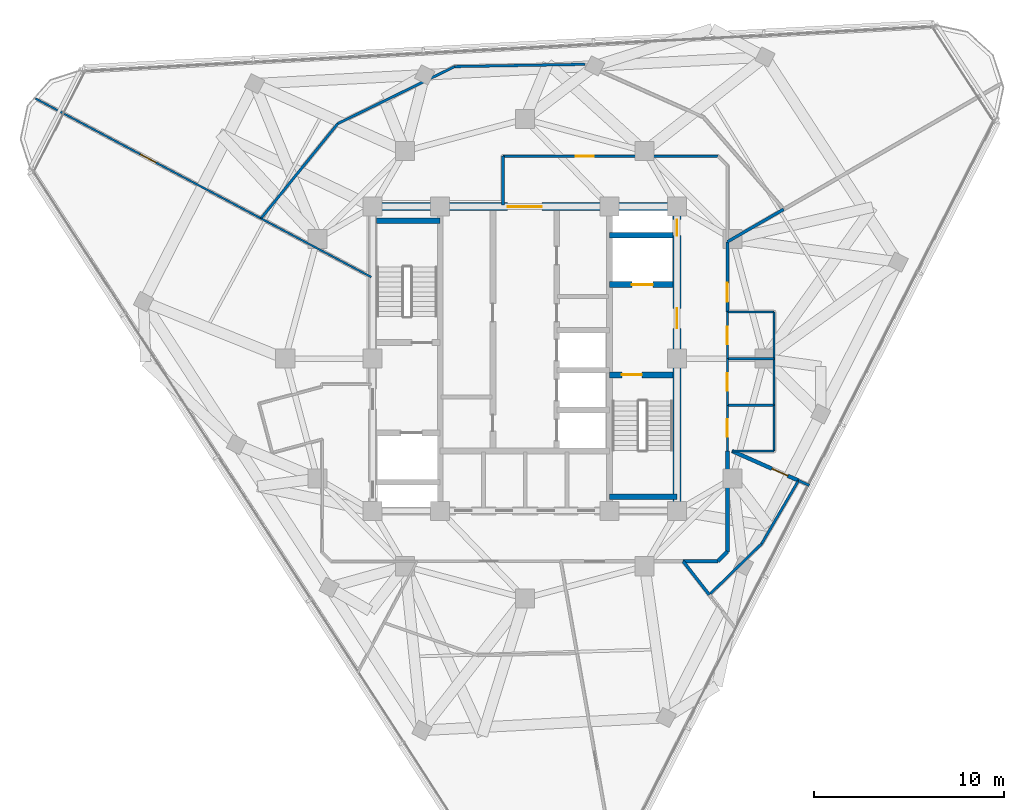
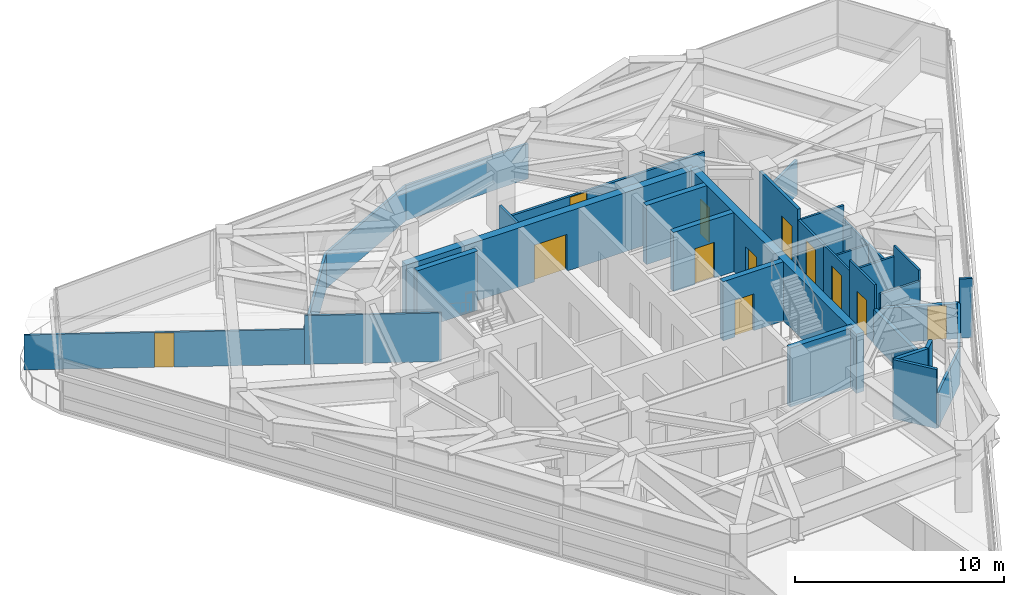
# One storey, part 9 of 15: 34 walls, 12 doors, 12 openings.
"""IFC4 building model written with IfcOpenShell, lengths in metres."""

from ifc_helpers import new_model, si_unit, direction, frame, frame_2d, origin, place, context, subcontext, project, spatial, rectangle, extrude, material, layer, layer_set, type_object, element, fill, save


model = new_model("IFC4")

# Units and contexts
model_context = context("Model", 3, precision=1e-05, world=origin(), true_north=direction((0.0, 1.0)))
body_context = subcontext(model_context, "Body", "Model", "MODEL_VIEW")
ifc_project = project(units=[si_unit("LENGTHUNIT", "METRE"), si_unit("AREAUNIT", "SQUARE_METRE"), si_unit("VOLUMEUNIT", "CUBIC_METRE"), si_unit("PLANEANGLEUNIT", "RADIAN"), si_unit("MASSUNIT", "GRAM", prefix="KILO")], contexts=[model_context])

# Site, building, storey
site_placement = place(None, origin())
site = spatial("IfcSite", under=ifc_project, at=site_placement, CompositionType="ELEMENT")
building_placement = place(site_placement, origin())
building = spatial("IfcBuilding", under=site, at=building_placement, Name="Terralouvre Media Tower", CompositionType="ELEMENT")
storey_placement = place(building_placement, frame((0.0, 0.0, 274.39990234375)))
storey = spatial("IfcBuildingStorey", under=building, at=storey_placement, Name="L71", CompositionType="ELEMENT", Elevation=274.39990234375)

# Wall
ifc_material_1 = material(Name="Concrete C50/60", Category="concrete")
ifc_layer_1 = layer(ifc_material_1, 0.300048828125, Name="Core Internal Shaft Wall CW-300")
ifc_layer_set_1 = layer_set([ifc_layer_1], Name="Concrete C50/60")
wall_type_1 = type_object("IfcWallType", Name="Core Internal Shaft Wall CW-300", PredefinedType="SHEAR", material=ifc_layer_set_1)
wall_1_placement = place(storey_placement, frame((-7.7900390625, 7.260009765625, 0.0), z_axis=(0.0, 0.0, 1.0), x_axis=(1.0, 0.0, 0.0)))
element("IfcWall", 1, at=wall_1_placement, inside=storey, type_object=wall_type_1, Name="L71 Core Shaft Wall ST1F", PredefinedType="SHEAR", context=body_context, shape_type="SweptSolid", body=[
    extrude(rectangle(XDim=3.340087890625, YDim=0.300048828125, at=frame_2d((1.669921875, 0.0))), origin(), (0.0, 0.0, 1.0), 3.460205078125),
])

# Wall, opening, door
wall_2_placement = place(storey_placement, frame((4.449951171875, -0.85009765625, 0.0), z_axis=(0.0, 0.0, 1.0), x_axis=(1.0, 0.0, 0.0)))
wall_2 = element("IfcWall", 2, at=wall_2_placement, inside=storey, type_object=wall_type_1, Name="L71 Core Shaft Wall ST2D", PredefinedType="SHEAR", context=body_context, shape_type="SweptSolid", body=[
    extrude(rectangle(XDim=3.340087890625, YDim=0.300048828125, at=frame_2d((1.669921875, 0.0))), origin(), (0.0, 0.0, 1.0), 3.460205078125),
])
opening_1_placement = place(wall_2_placement, frame((0.64990234375, 0.0, 0.0)))
opening_1 = element("IfcOpeningElement", 3, at=opening_1_placement, cuts=wall_2, Name="Opening FD-01-105X215", PredefinedType="OPENING", context=body_context, shape_type="SweptSolid", body=[
    extrude(rectangle(XDim=1.050048828125, YDim=2.14990234375, at=frame_2d((0.52490234375, 1.074951171875))), frame((0.0, 0.159912109375, 0.0), z_axis=(0.0, -1.0, 0.0), x_axis=(1.0, 0.0, 0.0)), (0.0, 0.0, 1.0), 0.320068359375),
])
ifc_material_2 = material(Name="Galvanised steel fire-resisting leaf", Category="steel")
door_type_1 = type_object("IfcDoorType", Name="Stair and Firefighting Lobby Fire Door FD-01 (1050x2150)", OperationType="NOTDEFINED", PredefinedType="DOOR", material=ifc_material_2)
door_1_placement = place(opening_1_placement, origin())
door_1 = element("IfcDoor", 4, at=door_1_placement, inside=storey, type_object=door_type_1, Name="L71 ST-02 Exit Stair Door", OperationType="SINGLE_SWING_RIGHT", OverallHeight=2.14990234375, OverallWidth=1.050048828125, PredefinedType="DOOR", context=body_context, shape_type="SweptSolid", body=[
    extrude(rectangle(XDim=1.050048828125, YDim=2.14990234375, at=frame_2d((0.52490234375, 1.074951171875))), frame((0.0, 0.02490234375, 0.0), z_axis=(0.0, -1.0, 0.0), x_axis=(1.0, 0.0, 0.0)), (0.0, 0.0, 1.0), 0.050048828125),
])
fill(opening_1, door_1)

# Wall
wall_3_placement = place(storey_placement, frame((4.449951171875, -7.260009765625, 0.0), z_axis=(0.0, 0.0, 1.0), x_axis=(1.0, 0.0, 0.0)))
element("IfcWall", 5, at=wall_3_placement, inside=storey, type_object=wall_type_1, Name="L71 Core Shaft Wall ST2F", PredefinedType="SHEAR", context=body_context, shape_type="SweptSolid", body=[
    extrude(rectangle(XDim=3.550048828125, YDim=0.300048828125, at=frame_2d((1.77490234375, 0.0))), origin(), (0.0, 0.0, 1.0), 3.460205078125),
])

# Wall, opening, door
wall_4_placement = place(storey_placement, frame((4.449951171875, 3.89990234375, 0.0), z_axis=(0.0, 0.0, 1.0), x_axis=(1.0, 0.0, 0.0)))
wall_4 = element("IfcWall", 6, at=wall_4_placement, inside=storey, type_object=wall_type_1, Name="L71 Core Shaft Wall FF2S", PredefinedType="SHEAR", context=body_context, shape_type="SweptSolid", body=[
    extrude(rectangle(XDim=3.340087890625, YDim=0.300048828125, at=frame_2d((1.669921875, 0.0))), origin(), (0.0, 0.0, 1.0), 3.460205078125),
])
opening_2_placement = place(wall_4_placement, frame((1.179931640625, 0.0, 0.0)))
opening_2 = element("IfcOpeningElement", 7, at=opening_2_placement, cuts=wall_4, Name="Opening LD-FF", PredefinedType="OPENING", context=body_context, shape_type="SweptSolid", body=[
    extrude(rectangle(XDim=1.10009765625, YDim=2.10009765625, at=frame_2d((0.550048828125, 1.050048828125))), frame((0.0, 0.159912109375, 0.0), z_axis=(0.0, -1.0, 0.0), x_axis=(1.0, 0.0, 0.0)), (0.0, 0.0, 1.0), 0.320068359375),
])
ifc_material_3 = material(Name="Stainless steel 316 handrail and balustrade", Category="steel")
door_type_2 = type_object("IfcDoorType", Name="Firefighting Lift Sliding Landing Door LD-FF", OperationType="SLIDING_TO_LEFT", PredefinedType="DOOR", material=ifc_material_3)
door_2_placement = place(opening_2_placement, origin())
door_2 = element("IfcDoor", 8, at=door_2_placement, inside=storey, type_object=door_type_2, Name="L71 Firefighting Lift FFL-02 Landing Door", OperationType="SLIDING_TO_LEFT", OverallHeight=2.10009765625, OverallWidth=1.10009765625, PredefinedType="DOOR", context=body_context, shape_type="SweptSolid", body=[
    extrude(rectangle(XDim=1.10009765625, YDim=2.10009765625, at=frame_2d((0.550048828125, 1.050048828125))), frame((0.0, 0.02490234375, 0.0), z_axis=(0.0, -1.0, 0.0), x_axis=(1.0, 0.0, 0.0)), (0.0, 0.0, 1.0), 0.050048828125),
])
fill(opening_2, door_2)

# Wall
wall_5_placement = place(storey_placement, frame((4.449951171875, 6.5, 0.0), z_axis=(0.0, 0.0, 1.0), x_axis=(1.0, 0.0, 0.0)))
element("IfcWall", 9, at=wall_5_placement, inside=storey, type_object=wall_type_1, Name="L71 Core Shaft Wall FF2N", PredefinedType="SHEAR", context=body_context, shape_type="SweptSolid", body=[
    extrude(rectangle(XDim=3.340087890625, YDim=0.300048828125, at=frame_2d((1.669921875, 0.0))), origin(), (0.0, 0.0, 1.0), 3.460205078125),
])

# Wall, openings, doors
ifc_material_4 = material(Name="Concrete C60/75", Category="concrete")
ifc_layer_2 = layer(ifc_material_4, 0.419921875, Name="Core Reinforced Concrete Shear Wall CW-420")
ifc_layer_set_2 = layer_set([ifc_layer_2], Name="Concrete C60/75")
wall_type_2 = type_object("IfcWallType", Name="Core Reinforced Concrete Shear Wall CW-420", PredefinedType="SHEAR", material=ifc_layer_set_2)
wall_6_placement = place(storey_placement, frame((8.0, -8.0, 0.0), z_axis=(0.0, 0.0, 1.0), x_axis=(0.0, 1.0, 0.0)))
wall_6 = element("IfcWall", 10, at=wall_6_placement, inside=storey, type_object=wall_type_2, Name="L71 E Core Shear Wall", PredefinedType="SHEAR", context=body_context, shape_type="SweptSolid", body=[
    extrude(rectangle(XDim=16.0, YDim=0.419921875, at=frame_2d((8.0, 0.0))), origin(), (0.0, 0.0, 1.0), 3.460205078125),
])
opening_3_placement = place(wall_6_placement, frame((9.60009765625, 0.0, 0.0)))
opening_3 = element("IfcOpeningElement", 11, at=opening_3_placement, cuts=wall_6, Name="Opening FD-01-105X215", PredefinedType="OPENING", context=body_context, shape_type="SweptSolid", body=[
    extrude(rectangle(XDim=1.050048828125, YDim=2.14990234375, at=frame_2d((0.52490234375, 1.074951171875))), frame((0.0, 0.219970703125, 0.0), z_axis=(0.0, -1.0, 0.0), x_axis=(1.0, 0.0, 0.0)), (0.0, 0.0, 1.0), 0.43994140625),
])
opening_4_placement = place(wall_6_placement, frame((14.468994140625, 0.0, 0.0)))
opening_4 = element("IfcOpeningElement", 12, at=opening_4_placement, cuts=wall_6, Name="Opening TD-R1", PredefinedType="OPENING", context=body_context, shape_type="SweptSolid", body=[
    extrude(rectangle(XDim=0.85009765625, YDim=2.02001953125, at=frame_2d((0.425048828125, 1.010009765625))), frame((0.0, 0.219970703125, 0.0), z_axis=(0.0, -1.0, 0.0), x_axis=(1.0, 0.0, 0.0)), (0.0, 0.0, 1.0), 0.43994140625),
])
ifc_material_5 = material(Name="Galvanised steel fire-resisting leaf", Category="steel")
door_type_3 = type_object("IfcDoorType", Name="Riser Inspection Access Trapdoor TD-R1", OperationType="NOTDEFINED", PredefinedType="TRAPDOOR", material=ifc_material_5)
door_3_placement = place(opening_4_placement, origin())
door_3 = element("IfcDoor", 13, at=door_3_placement, inside=storey, type_object=door_type_3, Name="L71 East Comms Riser Access Trapdoor", OperationType="SINGLE_SWING_RIGHT", OverallHeight=2.02001953125, OverallWidth=0.85009765625, PredefinedType="TRAPDOOR", context=body_context, shape_type="SweptSolid", body=[
    extrude(rectangle(XDim=0.85009765625, YDim=2.02001953125, at=frame_2d((0.425048828125, 1.010009765625))), frame((0.0, 0.02490234375, 0.0), z_axis=(0.0, -1.0, 0.0), x_axis=(1.0, 0.0, 0.0)), (0.0, 0.0, 1.0), 0.050048828125),
])
fill(opening_4, door_3)
door_4_placement = place(opening_3_placement, origin())
door_4 = element("IfcDoor", 14, at=door_4_placement, inside=storey, type_object=door_type_1, Name="L71 East Firefighting Lobby Entry Door", OperationType="SINGLE_SWING_LEFT", OverallHeight=2.14990234375, OverallWidth=1.050048828125, PredefinedType="DOOR", context=body_context, shape_type="SweptSolid", body=[
    extrude(rectangle(XDim=1.050048828125, YDim=2.14990234375, at=frame_2d((0.52490234375, 1.074951171875))), frame((0.0, 0.02490234375, 0.0), z_axis=(0.0, -1.0, 0.0), x_axis=(1.0, 0.0, 0.0)), (0.0, 0.0, 1.0), 0.050048828125),
])
fill(opening_3, door_4)

# Wall, opening, door
wall_7_placement = place(storey_placement, frame((-8.0, 8.0, 0.0), z_axis=(0.0, 0.0, 1.0), x_axis=(1.0, 0.0, 0.0)))
wall_7 = element("IfcWall", 15, at=wall_7_placement, inside=storey, type_object=wall_type_2, Name="L71 N Core Shear Wall", PredefinedType="SHEAR", context=body_context, shape_type="SweptSolid", body=[
    extrude(rectangle(XDim=16.0, YDim=0.419921875, at=frame_2d((8.0, 0.0))), origin(), (0.0, 0.0, 1.0), 3.460205078125),
])
opening_5_placement = place(wall_7_placement, frame((7.10009765625, 0.0, 0.0)))
opening_5 = element("IfcOpeningElement", 16, at=opening_5_placement, cuts=wall_7, Name="Opening FD-03", PredefinedType="OPENING", context=body_context, shape_type="SweptSolid", body=[
    extrude(rectangle(XDim=1.800048828125, YDim=2.14990234375, at=frame_2d((0.89990234375, 1.074951171875))), frame((0.0, 0.219970703125, 0.0), z_axis=(0.0, -1.0, 0.0), x_axis=(1.0, 0.0, 0.0)), (0.0, 0.0, 1.0), 0.43994140625),
])
ifc_material_6 = material(Name="Galvanised steel fire-resisting leaf", Category="steel")
door_type_4 = type_object("IfcDoorType", Name="Corridor Smoke-Control Double Door FD-03", OperationType="DOUBLE_DOOR_SINGLE_SWING", PredefinedType="DOOR", material=ifc_material_6)
door_5_placement = place(opening_5_placement, origin())
door_5 = element("IfcDoor", 17, at=door_5_placement, inside=storey, type_object=door_type_4, Name="L71 Central Lift Lobby Portal Door", OperationType="DOUBLE_DOOR_SINGLE_SWING", OverallHeight=2.14990234375, OverallWidth=1.800048828125, PredefinedType="DOOR", context=body_context, shape_type="SweptSolid", body=[
    extrude(rectangle(XDim=1.800048828125, YDim=2.14990234375, at=frame_2d((0.89990234375, 1.074951171875))), frame((0.0, 0.02490234375, 0.0), z_axis=(0.0, -1.0, 0.0), x_axis=(1.0, 0.0, 0.0)), (0.0, 0.0, 1.0), 0.050048828125),
])
fill(opening_5, door_5)

ifc_material_7 = material(Name="Low-iron laminated double glazing with solar-control coating", Category="glass")
ifc_layer_3 = layer(ifc_material_7, 0.10009765625, Name="Demountable Glazed Office Partition PT-GL100")
ifc_layer_set_3 = layer_set([ifc_layer_3], Name="Low-iron laminated double glazing with solar-control coating")
wall_type_3 = type_object("IfcWallType", Name="Demountable Glazed Office Partition PT-GL100", PredefinedType="MOVABLE", material=ifc_layer_set_3)
wall_8_placement = place(storey_placement, frame((-13.875, 7.376953125, 0.0), z_axis=(0.0, 0.0, 1.0), x_axis=(-0.882931208137, 0.469502376668, 0.0)))
wall_8 = element("IfcWall", 18, at=wall_8_placement, inside=storey, type_object=wall_type_3, Name="L71 Interior Partition 023", PredefinedType="MOVABLE", context=body_context, shape_type="SweptSolid", body=[
    extrude(rectangle(XDim=13.436279296875, YDim=0.10009765625, at=frame_2d((6.71826171875, 0.0))), origin(), (0.0, 0.0, 1.0), 2.045166015625),
])
opening_6_placement = place(wall_8_placement, frame((6.25830078125, 0.0, 0.0)))
opening_6 = element("IfcOpeningElement", 19, at=opening_6_placement, cuts=wall_8, Name="Opening ID-03", PredefinedType="OPENING", context=body_context, shape_type="SweptSolid", body=[
    extrude(rectangle(XDim=0.919921875, YDim=2.0, at=frame_2d((0.4599609375, 1.0))), frame((0.0, 0.06005859375, 0.0), z_axis=(0.0, -1.0, 0.0), x_axis=(1.0, 0.0, 0.0)), (0.0, 0.0, 1.0), 0.1201171875),
])
ifc_material_8 = material(Name="Engineered hardwood acoustic timber leaf", Category="wood")
door_type_5 = type_object("IfcDoorType", Name="Accessible Restroom and Suite Door ID-03", OperationType="NOTDEFINED", PredefinedType="DOOR", material=ifc_material_8)
door_6_placement = place(opening_6_placement, origin())
door_6 = element("IfcDoor", 20, at=door_6_placement, inside=storey, type_object=door_type_5, Name="L71 Creative Set Workshop 8 Door", OperationType="SINGLE_SWING_LEFT", OverallHeight=2.0, OverallWidth=0.919921875, PredefinedType="DOOR", context=body_context, shape_type="SweptSolid", body=[
    extrude(rectangle(XDim=0.919921875, YDim=2.0, at=frame_2d((0.4599609375, 1.0))), frame((0.0, 0.02490234375, 0.0), z_axis=(0.0, -1.0, 0.0), x_axis=(1.0, 0.0, 0.0)), (0.0, 0.0, 1.0), 0.050048828125),
])
fill(opening_6, door_6)

# Walls
wall_9_placement = place(storey_placement, frame((-8.080078125, 4.2958984375, 0.0), z_axis=(0.0, 0.0, 1.0), x_axis=(-0.882957693651, 0.469452565465, 0.0)))
element("IfcWall", 21, at=wall_9_placement, inside=storey, type_object=wall_type_3, Name="L71 Interior Partition 024", PredefinedType="MOVABLE", context=body_context, shape_type="SweptSolid", body=[
    extrude(rectangle(XDim=6.56298828125, YDim=0.10009765625, at=frame_2d((3.281494140625, 0.0))), origin(), (0.0, 0.0, 1.0), 2.84521484375),
])
ifc_material_9 = material(Name="Fire-rated gypsum board drywall partition")
ifc_layer_4 = layer(ifc_material_9, 0.199951171875, Name="Fire-Rated Shaft and Lobby Partition FW-200")
ifc_layer_set_4 = layer_set([ifc_layer_4], Name="Fire-rated gypsum board drywall partition")
wall_type_4 = type_object("IfcWallType", Name="Fire-Rated Shaft and Lobby Partition FW-200", PredefinedType="SOLIDWALL", material=ifc_layer_set_4)
wall_10_placement = place(storey_placement, frame((8.321044921875, -10.64990234375, 0.0), z_axis=(0.0, 0.0, 1.0), x_axis=(1.0, 0.0, 0.0)))
element("IfcWall", 22, at=wall_10_placement, inside=storey, type_object=wall_type_4, Name="L71 Interior Partition 010", PredefinedType="SOLIDWALL", context=body_context, shape_type="SweptSolid", body=[
    extrude(rectangle(XDim=1.828857421875, YDim=0.199951171875, at=frame_2d((0.91455078125, 0.0))), origin(), (0.0, 0.0, 1.0), 3.460205078125),
])
wall_11_placement = place(storey_placement, frame((10.14990234375, -10.64990234375, 0.0), z_axis=(0.0, 0.0, 1.0), x_axis=(0.707106781187, 0.707106781187, 0.0)))
element("IfcWall", 23, at=wall_11_placement, inside=storey, type_object=wall_type_4, Name="L71 Interior Partition 011", PredefinedType="SOLIDWALL", context=body_context, shape_type="SweptSolid", body=[
    extrude(rectangle(XDim=0.70703125, YDim=0.199951171875, at=frame_2d((0.353515625, 0.0))), origin(), (0.0, 0.0, 1.0), 3.460205078125),
])
wall_12_placement = place(storey_placement, frame((10.64990234375, -10.14990234375, 0.0), z_axis=(0.0, 0.0, 1.0), x_axis=(0.0, 1.0, 0.0)))
element("IfcWall", 24, at=wall_12_placement, inside=storey, type_object=wall_type_4, Name="L71 Interior Partition 012", PredefinedType="SOLIDWALL", context=body_context, shape_type="SweptSolid", body=[
    extrude(rectangle(XDim=5.2998046875, YDim=0.199951171875, at=frame_2d((2.64990234375, 0.0))), origin(), (0.0, 0.0, 1.0), 2.045166015625),
])

# Wall, opening, door
wall_13_placement = place(storey_placement, frame((14.387939453125, -6.406005859375, 0.0), z_axis=(0.0, 0.0, 1.0), x_axis=(-0.913556095718, 0.406712748726, 0.0)))
wall_13 = element("IfcWall", 25, at=wall_13_placement, inside=storey, type_object=wall_type_4, Name="L71 Interior Partition 034", PredefinedType="SOLIDWALL", context=body_context, shape_type="SweptSolid", body=[
    extrude(rectangle(XDim=3.82568359375, YDim=0.199951171875, at=frame_2d((1.912841796875, 0.0))), origin(), (0.0, 0.0, 1.0), 2.045166015625),
])
opening_7_placement = place(wall_13_placement, frame((0.611083984375, 0.0, 0.0)))
opening_7 = element("IfcOpeningElement", 26, at=opening_7_placement, cuts=wall_13, Name="Opening FD-05", PredefinedType="OPENING", context=body_context, shape_type="SweptSolid", body=[
    extrude(rectangle(XDim=0.919921875, YDim=2.0, at=frame_2d((0.4599609375, 1.0))), frame((0.0, 0.10986328125, 0.0), z_axis=(0.0, -1.0, 0.0), x_axis=(1.0, 0.0, 0.0)), (0.0, 0.0, 1.0), 0.219970703125),
])
ifc_material_10 = material(Name="Galvanised steel fire-resisting leaf", Category="steel")
door_type_6 = type_object("IfcDoorType", Name="Core Accessible Closet Fire Door FD-05", OperationType="NOTDEFINED", PredefinedType="DOOR", material=ifc_material_10)
door_7_placement = place(opening_7_placement, origin())
door_7 = element("IfcDoor", 27, at=door_7_placement, inside=storey, type_object=door_type_6, Name="L71 Lighting Dimmer Switch Room 6 Door", OperationType="SINGLE_SWING_RIGHT", OverallHeight=2.0, OverallWidth=0.919921875, PredefinedType="DOOR", context=body_context, shape_type="SweptSolid", body=[
    extrude(rectangle(XDim=0.919921875, YDim=2.0, at=frame_2d((0.4599609375, 1.0))), frame((0.0, 0.02490234375, 0.0), z_axis=(0.0, -1.0, 0.0), x_axis=(1.0, 0.0, 0.0)), (0.0, 0.0, 1.0), 0.050048828125),
])
fill(opening_7, door_7)

ifc_material_11 = material(Name="Fire-rated gypsum board drywall partition")
ifc_layer_5 = layer(ifc_material_11, 0.135009765625, Name="Newsroom Acoustic Partition PT-135")
ifc_layer_set_5 = layer_set([ifc_layer_5], Name="Fire-rated gypsum board drywall partition")
wall_type_5 = type_object("IfcWallType", Name="Newsroom Acoustic Partition PT-135", PredefinedType="PARTITIONING", material=ifc_layer_set_5)
wall_14_placement = place(storey_placement, frame((10.14990234375, 10.64990234375, 0.0), z_axis=(0.0, 0.0, 1.0), x_axis=(-1.0, 0.0, 0.0)))
wall_14 = element("IfcWall", 28, at=wall_14_placement, inside=storey, type_object=wall_type_5, Name="L71 Interior Partition 019", PredefinedType="PARTITIONING", context=body_context, shape_type="SweptSolid", body=[
    extrude(rectangle(XDim=11.2998046875, YDim=0.135009765625, at=frame_2d((5.64990234375, 0.0))), origin(), (0.0, 0.0, 1.0), 2.045166015625),
])
opening_8_placement = place(wall_14_placement, frame((6.531005859375, 0.0, 0.0)))
opening_8 = element("IfcOpeningElement", 29, at=opening_8_placement, cuts=wall_14, Name="Opening ID-02", PredefinedType="OPENING", context=body_context, shape_type="SweptSolid", body=[
    extrude(rectangle(XDim=0.949951171875, YDim=2.0, at=frame_2d((0.47509765625, 1.0))), frame((0.0, 0.077392578125, 0.0), z_axis=(0.0, -1.0, 0.0), x_axis=(1.0, 0.0, 0.0)), (0.0, 0.0, 1.0), 0.155029296875),
])
ifc_material_12 = material(Name="Engineered hardwood acoustic timber leaf", Category="wood")
door_type_7 = type_object("IfcDoorType", Name="Office and Meeting Room Door ID-02", OperationType="NOTDEFINED", PredefinedType="DOOR", material=ifc_material_12)
door_8_placement = place(opening_8_placement, origin())
door_8 = element("IfcDoor", 30, at=door_8_placement, inside=storey, type_object=door_type_7, Name="L71 Acoustic Music Listening Room 9 Door", OperationType="SINGLE_SWING_LEFT", OverallHeight=2.0, OverallWidth=0.949951171875, PredefinedType="DOOR", context=body_context, shape_type="SweptSolid", body=[
    extrude(rectangle(XDim=0.949951171875, YDim=2.0, at=frame_2d((0.47509765625, 1.0))), frame((0.0, 0.02490234375, 0.0), z_axis=(0.0, -1.0, 0.0), x_axis=(1.0, 0.0, 0.0)), (0.0, 0.0, 1.0), 0.050048828125),
])
fill(opening_8, door_8)

# Walls
wall_15_placement = place(storey_placement, frame((-1.14990234375, 10.64990234375, 0.0), z_axis=(0.0, 0.0, 1.0), x_axis=(0.0, -1.0, 0.0)))
element("IfcWall", 31, at=wall_15_placement, inside=storey, type_object=wall_type_5, Name="L71 Interior Partition 020", PredefinedType="PARTITIONING", context=body_context, shape_type="SweptSolid", body=[
    extrude(rectangle(XDim=2.56982421875, YDim=0.135009765625, at=frame_2d((1.284912109375, 0.0))), origin(), (0.0, 0.0, 1.0), 2.84521484375),
])
wall_16_placement = place(storey_placement, frame((14.387939453125, -6.406005859375, 0.0), z_axis=(0.0, 0.0, 1.0), x_axis=(-0.50381969712, -0.863808840424, 0.0)))
element("IfcWall", 32, at=wall_16_placement, inside=storey, type_object=wall_type_5, Name="L71 Interior Partition 031", PredefinedType="PARTITIONING", context=body_context, shape_type="SweptSolid", body=[
    extrude(rectangle(XDim=3.8447265625, YDim=0.135009765625, at=frame_2d((1.92236328125, 0.0))), origin(), (0.0, 0.0, 1.0), 2.045166015625),
])
wall_17_placement = place(storey_placement, frame((12.450927734375, -9.72705078125, 0.0), z_axis=(0.0, 0.0, 1.0), x_axis=(-0.716282466339, -0.697810453072, 0.0)))
element("IfcWall", 33, at=wall_17_placement, inside=storey, type_object=wall_type_5, Name="L71 Interior Partition 032", PredefinedType="PARTITIONING", context=body_context, shape_type="SweptSolid", body=[
    extrude(rectangle(XDim=3.84619140625, YDim=0.135009765625, at=frame_2d((1.923095703125, 0.0))), origin(), (0.0, 0.0, 1.0), 2.045166015625),
])
wall_18_placement = place(storey_placement, frame((14.95947265625, -6.66015625, 0.0), z_axis=(0.0, 0.0, 1.0), x_axis=(-0.91373105304, 0.40631953277, 0.0)))
element("IfcWall", 34, at=wall_18_placement, inside=storey, type_object=wall_type_5, Name="L71 Interior Partition 033", PredefinedType="PARTITIONING", context=body_context, shape_type="SweptSolid", body=[
    extrude(rectangle(XDim=0.62548828125, YDim=0.135009765625, at=frame_2d((0.312744140625, 0.0))), origin(), (0.0, 0.0, 1.0), 3.460205078125),
])
wall_19_placement = place(storey_placement, frame((-13.875, 7.376953125, 0.0), z_axis=(0.0, 0.0, 1.0), x_axis=(0.629304365076, 0.777158938761, 0.0)))
element("IfcWall", 35, at=wall_19_placement, inside=storey, type_object=wall_type_5, Name="L71 Interior Partition 044", PredefinedType="PARTITIONING", context=body_context, shape_type="SweptSolid", body=[
    extrude(rectangle(XDim=6.418212890625, YDim=0.135009765625, at=frame_2d((3.208984375, 0.0))), origin(), (0.0, 0.0, 1.0), 2.045166015625),
])
wall_20_placement = place(storey_placement, frame((-9.8359375, 12.364990234375, 0.0), z_axis=(0.0, 0.0, 1.0), x_axis=(0.898823324655, 0.438311112174, 0.0)))
element("IfcWall", 36, at=wall_20_placement, inside=storey, type_object=wall_type_5, Name="L71 Interior Partition 045", PredefinedType="PARTITIONING", context=body_context, shape_type="SweptSolid", body=[
    extrude(rectangle(XDim=6.840087890625, YDim=0.135009765625, at=frame_2d((3.419921875, 0.0))), origin(), (0.0, 0.0, 1.0), 2.045166015625),
])
wall_21_placement = place(storey_placement, frame((-3.68798828125, 15.363037109375, 0.0), z_axis=(0.0, 0.0, 1.0), x_axis=(0.999846372591, 0.017528012316, 0.0)))
element("IfcWall", 37, at=wall_21_placement, inside=storey, type_object=wall_type_5, Name="L71 Interior Partition 046", PredefinedType="PARTITIONING", context=body_context, shape_type="SweptSolid", body=[
    extrude(rectangle(XDim=6.8388671875, YDim=0.135009765625, at=frame_2d((3.41943359375, 0.0))), origin(), (0.0, 0.0, 1.0), 2.045166015625),
])

# Wall, opening, door
ifc_material_13 = material(Name="Fire-rated gypsum board drywall partition")
ifc_layer_6 = layer(ifc_material_13, 0.114990234375, Name="Restroom and Pantry Partition PT-115")
ifc_layer_set_6 = layer_set([ifc_layer_6], Name="Fire-rated gypsum board drywall partition")
wall_type_6 = type_object("IfcWallType", Name="Restroom and Pantry Partition PT-115", PredefinedType="PARTITIONING", material=ifc_layer_set_6)
wall_22_placement = place(storey_placement, frame((10.64990234375, -4.85009765625, 0.0), z_axis=(0.0, 0.0, 1.0), x_axis=(0.0, 1.0, 0.0)))
wall_22 = element("IfcWall", 38, at=wall_22_placement, inside=storey, type_object=wall_type_6, Name="L71 Interior Partition 013", PredefinedType="PARTITIONING", context=body_context, shape_type="SweptSolid", body=[
    extrude(rectangle(XDim=2.400146484375, YDim=0.114990234375, at=frame_2d((1.2001953125, 0.0))), origin(), (0.0, 0.0, 1.0), 3.460205078125),
])
opening_9_placement = place(wall_22_placement, frame((0.739990234375, 0.0, 0.0)))
opening_9 = element("IfcOpeningElement", 39, at=opening_9_placement, cuts=wall_22, Name="Opening ID-03-92X210", PredefinedType="OPENING", context=body_context, shape_type="SweptSolid", body=[
    extrude(rectangle(XDim=0.919921875, YDim=2.10009765625, at=frame_2d((0.4599609375, 1.050048828125))), frame((0.0, 0.0673828125, 0.0), z_axis=(0.0, -1.0, 0.0), x_axis=(1.0, 0.0, 0.0)), (0.0, 0.0, 1.0), 0.135009765625),
])
ifc_material_14 = material(Name="Engineered hardwood acoustic timber leaf", Category="wood")
door_type_8 = type_object("IfcDoorType", Name="Accessible Restroom and Suite Door ID-03 (920x2100)", OperationType="NOTDEFINED", PredefinedType="DOOR", material=ifc_material_14)
door_9_placement = place(opening_9_placement, origin())
door_9 = element("IfcDoor", 40, at=door_9_placement, inside=storey, type_object=door_type_8, Name="L71 Male Restroom WC Door", OperationType="SINGLE_SWING_LEFT", OverallHeight=2.10009765625, OverallWidth=0.919921875, PredefinedType="DOOR", context=body_context, shape_type="SweptSolid", body=[
    extrude(rectangle(XDim=0.919921875, YDim=2.10009765625, at=frame_2d((0.4599609375, 1.050048828125))), frame((0.0, 0.02490234375, 0.0), z_axis=(0.0, -1.0, 0.0), x_axis=(1.0, 0.0, 0.0)), (0.0, 0.0, 1.0), 0.050048828125),
])
fill(opening_9, door_9)

wall_23_placement = place(storey_placement, frame((10.64990234375, -2.449951171875, 0.0), z_axis=(0.0, 0.0, 1.0), x_axis=(0.0, 1.0, 0.0)))
wall_23 = element("IfcWall", 41, at=wall_23_placement, inside=storey, type_object=wall_type_6, Name="L71 Interior Partition 014", PredefinedType="PARTITIONING", context=body_context, shape_type="SweptSolid", body=[
    extrude(rectangle(XDim=2.449951171875, YDim=0.114990234375, at=frame_2d((1.22509765625, 0.0))), origin(), (0.0, 0.0, 1.0), 2.84521484375),
])
opening_10_placement = place(wall_23_placement, frame((0.764892578125, 0.0, 0.0)))
opening_10 = element("IfcOpeningElement", 42, at=opening_10_placement, cuts=wall_23, Name="Opening ID-03-92X210", PredefinedType="OPENING", context=body_context, shape_type="SweptSolid", body=[
    extrude(rectangle(XDim=0.919921875, YDim=2.10009765625, at=frame_2d((0.4599609375, 1.050048828125))), frame((0.0, 0.0673828125, 0.0), z_axis=(0.0, -1.0, 0.0), x_axis=(1.0, 0.0, 0.0)), (0.0, 0.0, 1.0), 0.135009765625),
])
door_10_placement = place(opening_10_placement, origin())
door_10 = element("IfcDoor", 43, at=door_10_placement, inside=storey, type_object=door_type_8, Name="L71 Female Restroom WC Door", OperationType="SINGLE_SWING_RIGHT", OverallHeight=2.10009765625, OverallWidth=0.919921875, PredefinedType="DOOR", context=body_context, shape_type="SweptSolid", body=[
    extrude(rectangle(XDim=0.919921875, YDim=2.10009765625, at=frame_2d((0.4599609375, 1.050048828125))), frame((0.0, 0.02490234375, 0.0), z_axis=(0.0, -1.0, 0.0), x_axis=(1.0, 0.0, 0.0)), (0.0, 0.0, 1.0), 0.050048828125),
])
fill(opening_10, door_10)

wall_24_placement = place(storey_placement, frame((10.64990234375, 0.0, 0.0), z_axis=(0.0, 0.0, 1.0), x_axis=(0.0, 1.0, 0.0)))
wall_24 = element("IfcWall", 44, at=wall_24_placement, inside=storey, type_object=wall_type_6, Name="L71 Interior Partition 015", PredefinedType="PARTITIONING", context=body_context, shape_type="SweptSolid", body=[
    extrude(rectangle(XDim=2.449951171875, YDim=0.114990234375, at=frame_2d((1.22509765625, 0.0))), origin(), (0.0, 0.0, 1.0), 2.84521484375),
])
opening_11_placement = place(wall_24_placement, frame((0.764892578125, 0.0, 0.0)))
opening_11 = element("IfcOpeningElement", 45, at=opening_11_placement, cuts=wall_24, Name="Opening ID-03-92X210", PredefinedType="OPENING", context=body_context, shape_type="SweptSolid", body=[
    extrude(rectangle(XDim=0.919921875, YDim=2.10009765625, at=frame_2d((0.4599609375, 1.050048828125))), frame((0.0, 0.0673828125, 0.0), z_axis=(0.0, -1.0, 0.0), x_axis=(1.0, 0.0, 0.0)), (0.0, 0.0, 1.0), 0.135009765625),
])
door_11_placement = place(opening_11_placement, origin())
door_11 = element("IfcDoor", 46, at=door_11_placement, inside=storey, type_object=door_type_8, Name="L71 Accessible Unisex WC Door", OperationType="SINGLE_SWING_LEFT", OverallHeight=2.10009765625, OverallWidth=0.919921875, PredefinedType="DOOR", context=body_context, shape_type="SweptSolid", body=[
    extrude(rectangle(XDim=0.919921875, YDim=2.10009765625, at=frame_2d((0.4599609375, 1.050048828125))), frame((0.0, 0.02490234375, 0.0), z_axis=(0.0, -1.0, 0.0), x_axis=(1.0, 0.0, 0.0)), (0.0, 0.0, 1.0), 0.050048828125),
])
fill(opening_11, door_11)

# Walls
wall_25_placement = place(storey_placement, frame((13.10009765625, -2.449951171875, 0.0), z_axis=(0.0, 0.0, 1.0), x_axis=(-1.0, 0.0, 0.0)))
element("IfcWall", 47, at=wall_25_placement, inside=storey, type_object=wall_type_6, Name="L71 Interior Partition 035", PredefinedType="PARTITIONING", context=body_context, shape_type="SweptSolid", body=[
    extrude(rectangle(XDim=2.4501953125, YDim=0.114990234375, at=frame_2d((1.22509765625, 0.0))), origin(), (0.0, 0.0, 1.0), 2.84521484375),
])
wall_26_placement = place(storey_placement, frame((10.89306640625, -4.85009765625, 0.0), z_axis=(0.0, 0.0, 1.0), x_axis=(1.0, 0.0, 0.0)))
element("IfcWall", 48, at=wall_26_placement, inside=storey, type_object=wall_type_6, Name="L71 Interior Partition 036", PredefinedType="PARTITIONING", context=body_context, shape_type="SweptSolid", body=[
    extrude(rectangle(XDim=2.20703125, YDim=0.114990234375, at=frame_2d((1.103515625, 0.0))), origin(), (0.0, 0.0, 1.0), 2.84521484375),
])
wall_27_placement = place(storey_placement, frame((13.10009765625, -4.85009765625, 0.0), z_axis=(0.0, 0.0, 1.0), x_axis=(0.0, 1.0, 0.0)))
element("IfcWall", 49, at=wall_27_placement, inside=storey, type_object=wall_type_6, Name="L71 Interior Partition 037", PredefinedType="PARTITIONING", context=body_context, shape_type="SweptSolid", body=[
    extrude(rectangle(XDim=2.400146484375, YDim=0.114990234375, at=frame_2d((1.2001953125, 0.0))), origin(), (0.0, 0.0, 1.0), 3.460205078125),
])
wall_28_placement = place(storey_placement, frame((13.10009765625, 0.0, 0.0), z_axis=(0.0, 0.0, 1.0), x_axis=(-1.0, 0.0, 0.0)))
element("IfcWall", 50, at=wall_28_placement, inside=storey, type_object=wall_type_6, Name="L71 Interior Partition 038", PredefinedType="PARTITIONING", context=body_context, shape_type="SweptSolid", body=[
    extrude(rectangle(XDim=2.4501953125, YDim=0.114990234375, at=frame_2d((1.22509765625, 0.0))), origin(), (0.0, 0.0, 1.0), 2.045166015625),
])
for number, where, z_axis, x_axis, name in (
    (51, (13.10009765625, -2.449951171875, 0.0), (0.0, 0.0, 1.0), (0.0, 1.0, 0.0), "L71 Interior Partition 039"),
    (52, (13.10009765625, 0.0, 0.0), (0.0, 0.0, 1.0), (0.0, 1.0, 0.0), "L71 Interior Partition 040"),
):
    element("IfcWall", number, at=place(storey_placement, frame(where, z_axis=z_axis, x_axis=x_axis)), inside=storey, type_object=wall_type_6, Name=name, PredefinedType="PARTITIONING", context=body_context, shape_type="SweptSolid", body=[
        extrude(rectangle(XDim=2.449951171875, YDim=0.114990234375, at=frame_2d((1.22509765625, 0.0))), origin(), (0.0, 0.0, 1.0), 2.045166015625),
    ])
wall_29_placement = place(storey_placement, frame((13.10009765625, 2.449951171875, 0.0), z_axis=(0.0, 0.0, 1.0), x_axis=(-1.0, 0.0, 0.0)))
element("IfcWall", 53, at=wall_29_placement, inside=storey, type_object=wall_type_6, Name="L71 Interior Partition 041", PredefinedType="PARTITIONING", context=body_context, shape_type="SweptSolid", body=[
    extrude(rectangle(XDim=2.4501953125, YDim=0.114990234375, at=frame_2d((1.22509765625, 0.0))), origin(), (0.0, 0.0, 1.0), 2.84521484375),
])

# Wall, opening, door
ifc_material_15 = material(Name="Fire-rated gypsum board drywall partition")
ifc_layer_7 = layer(ifc_material_15, 0.159912109375, Name="Studio Acoustic Rated Partition PT-160")
ifc_layer_set_7 = layer_set([ifc_layer_7], Name="Fire-rated gypsum board drywall partition")
wall_type_7 = type_object("IfcWallType", Name="Studio Acoustic Rated Partition PT-160", PredefinedType="PARTITIONING", material=ifc_layer_set_7)
wall_30_placement = place(storey_placement, frame((10.64990234375, 2.449951171875, 0.0), z_axis=(0.0, 0.0, 1.0), x_axis=(0.0, 1.0, 0.0)))
wall_30 = element("IfcWall", 54, at=wall_30_placement, inside=storey, type_object=wall_type_7, Name="L71 Interior Partition 016", PredefinedType="PARTITIONING", context=body_context, shape_type="SweptSolid", body=[
    extrude(rectangle(XDim=3.698974609375, YDim=0.159912109375, at=frame_2d((1.849609375, 0.0))), origin(), (0.0, 0.0, 1.0), 3.460205078125),
])
opening_12_placement = place(wall_30_placement, frame((0.53564453125, 0.0, 0.0)))
opening_12 = element("IfcOpeningElement", 55, at=opening_12_placement, cuts=wall_30, Name="Opening ID-01-100X215", PredefinedType="OPENING", context=body_context, shape_type="SweptSolid", body=[
    extrude(rectangle(XDim=1.0, YDim=2.14990234375, at=frame_2d((0.5, 1.074951171875))), frame((0.0, 0.08984375, 0.0), z_axis=(0.0, -1.0, 0.0), x_axis=(1.0, 0.0, 0.0)), (0.0, 0.0, 1.0), 0.179931640625),
])
ifc_material_16 = material(Name="Engineered hardwood acoustic timber leaf", Category="wood")
door_type_9 = type_object("IfcDoorType", Name="Broadcast Studio Acoustic Single Door ID-01 (1000x2150)", OperationType="NOTDEFINED", PredefinedType="DOOR", material=ifc_material_16)
door_12_placement = place(opening_12_placement, origin())
door_12 = element("IfcDoor", 56, at=door_12_placement, inside=storey, type_object=door_type_9, Name="L71 Preview Screening Cinema 7 Door", OperationType="SINGLE_SWING_RIGHT", OverallHeight=2.14990234375, OverallWidth=1.0, PredefinedType="DOOR", context=body_context, shape_type="SweptSolid", body=[
    extrude(rectangle(XDim=1.0, YDim=2.14990234375, at=frame_2d((0.5, 1.074951171875))), frame((0.0, 0.02490234375, 0.0), z_axis=(0.0, -1.0, 0.0), x_axis=(1.0, 0.0, 0.0)), (0.0, 0.0, 1.0), 0.050048828125),
])
fill(opening_12, door_12)

# Walls
wall_31_placement = place(storey_placement, frame((9.696044921875, -12.410888671875, 0.0), z_axis=(0.0, 0.0, 1.0), x_axis=(-0.615429845305, 0.788191668002, 0.0)))
element("IfcWall", 57, at=wall_31_placement, inside=storey, type_object=wall_type_7, Name="L71 Interior Partition 030", PredefinedType="PARTITIONING", context=body_context, shape_type="SweptSolid", body=[
    extrude(rectangle(XDim=2.234130859375, YDim=0.159912109375, at=frame_2d((1.1171875, 0.0))), origin(), (0.0, 0.0, 1.0), 3.460205078125),
])
wall_32_placement = place(storey_placement, frame((13.60888671875, 7.85693359375, 0.0), z_axis=(0.0, 0.0, 1.0), x_axis=(-0.866071357471, -0.499920397431, 0.0)))
element("IfcWall", 58, at=wall_32_placement, inside=storey, type_object=wall_type_7, Name="L71 Interior Partition 043", PredefinedType="PARTITIONING", context=body_context, shape_type="SweptSolid", body=[
    extrude(rectangle(XDim=3.41650390625, YDim=0.159912109375, at=frame_2d((1.708251953125, 0.0))), origin(), (0.0, 0.0, 1.0), 2.045166015625),
])

save(model, "model.ifc")
